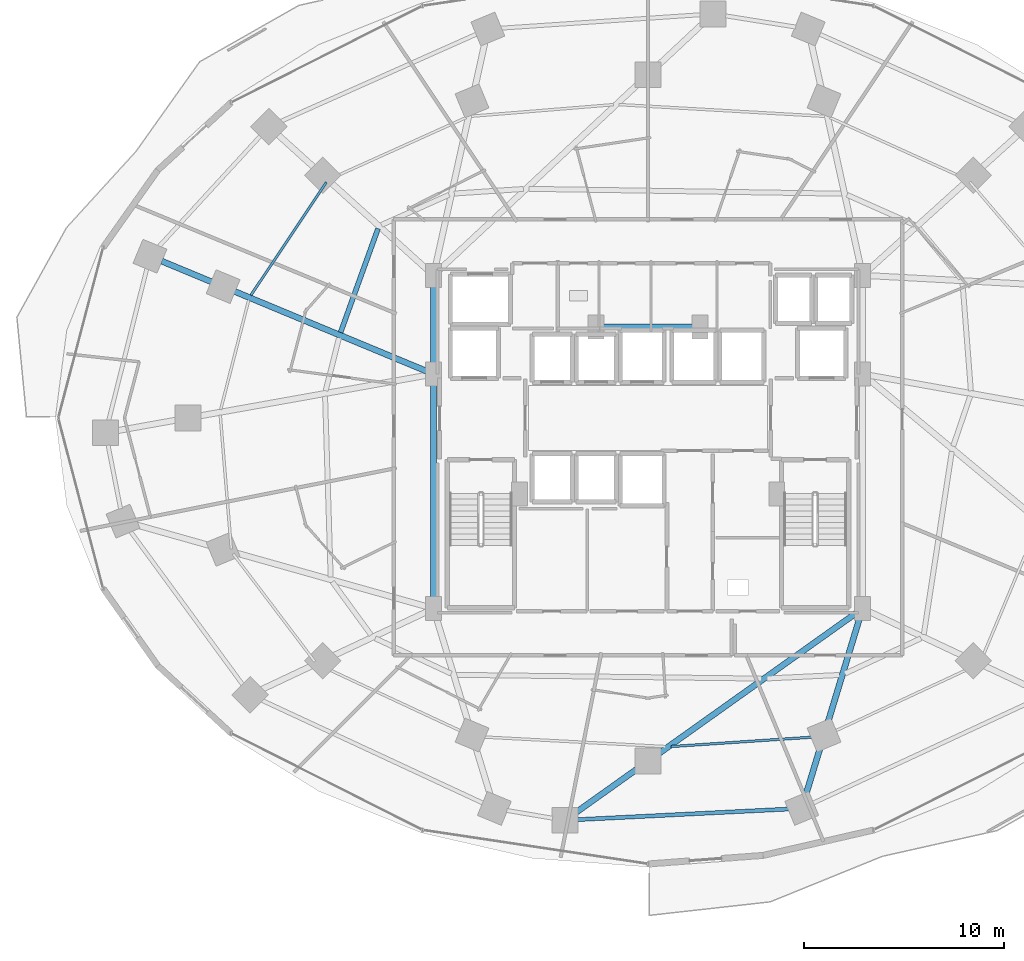
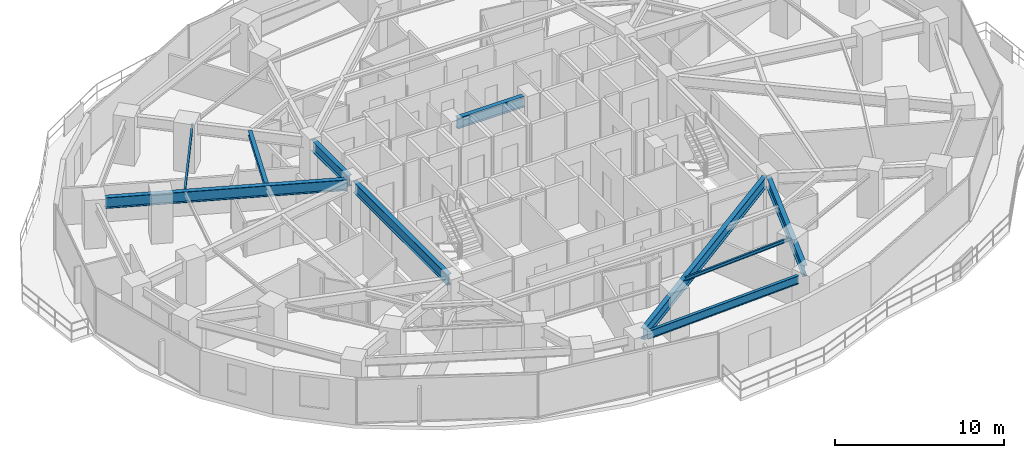
# One storey, part 11 of 35: 10 beams.
"""IFC4 building model written with IfcOpenShell, lengths in metres."""

from ifc_helpers import new_model, si_unit, direction, frame, origin, origin_2d, place, context, subcontext, project, spatial, i_section, extrude, material, material_profile, profile_set, type_object, element, save


model = new_model("IFC4")

# Units and contexts
model_context = context("Model", 3, precision=1e-05, world=origin(), true_north=direction((0.0, 1.0)))
body_context = subcontext(model_context, "Body", "Model", "MODEL_VIEW")
ifc_project = project(units=[si_unit("LENGTHUNIT", "METRE"), si_unit("AREAUNIT", "SQUARE_METRE"), si_unit("VOLUMEUNIT", "CUBIC_METRE"), si_unit("PLANEANGLEUNIT", "RADIAN"), si_unit("MASSUNIT", "GRAM", prefix="KILO")], contexts=[model_context])

# Site, building, storey
site_placement = place(None, origin())
site = spatial("IfcSite", under=ifc_project, at=site_placement, CompositionType="ELEMENT")
building_placement = place(site_placement, origin())
building = spatial("IfcBuilding", under=site, at=building_placement, Name="Vorneva Point Tower", CompositionType="ELEMENT")
storey_placement = place(building_placement, frame((0.0, 0.0, 45.0)))
storey = spatial("IfcBuildingStorey", under=building, at=storey_placement, Name="L11", CompositionType="ELEMENT", Elevation=45.0)

# Beams
ifc_material = material(Name="Steel S355", Category="steel")
ifc_material_profile_1 = material_profile(ifc_material, i_section(OverallWidth=0.300048828125, OverallDepth=0.7880859375, WebThickness=0.014404296875, FlangeThickness=0.02197265625, at=origin_2d()), Name="80Sh1")
ifc_profile_set_1 = profile_set([ifc_material_profile_1], Name="Steel S355")
beam_type_1 = type_object("IfcBeamType", Name="BM-GRD-80Sh1", PredefinedType="USERDEFINED", material=ifc_profile_set_1)
beam_1_placement = place(storey_placement, frame((13.62841796875, 33.860595703125, 2.845947265625), z_axis=(0.923441399183, -0.383739471874, 0.0), x_axis=(0.383739471874, 0.923441399183, 0.0)))
element("IfcBeam", 1, at=beam_1_placement, inside=storey, type_object=beam_type_1, Name="L11 Radial Primary Girder 08", ObjectType="GIRDER", PredefinedType="USERDEFINED", context=body_context, shape_type="SweptSolid", body=[
    extrude(i_section(OverallWidth=0.300048828125, OverallDepth=0.7880859375, WebThickness=0.014404296875, FlangeThickness=0.02197265625, at=origin_2d()), origin(), (0.0, 0.0, 1.0), 14.410888671875),
])
beam_2_placement = place(storey_placement, frame((34.360107421875, 6.209716796875, 2.845947265625), z_axis=(0.814752171819, 0.579809363943, 0.0), x_axis=(-0.579809363943, 0.814752171819, 0.0)))
element("IfcBeam", 2, at=beam_2_placement, inside=storey, type_object=beam_type_1, Name="L11 Radial Primary Girder 13", ObjectType="GIRDER", PredefinedType="USERDEFINED", context=body_context, shape_type="SweptSolid", body=[
    extrude(i_section(OverallWidth=0.300048828125, OverallDepth=0.7880859375, WebThickness=0.014404296875, FlangeThickness=0.02197265625, at=origin_2d()), origin(), (0.0, 0.0, 1.0), 17.321533203125),
])
beam_3_placement = place(storey_placement, frame((45.888916015625, 7.045654296875, 2.845947265625), z_axis=(0.29104183924, 0.956710325967, 0.0), x_axis=(-0.956710325967, 0.29104183924, 0.0)))
element("IfcBeam", 3, at=beam_3_placement, inside=storey, type_object=beam_type_1, Name="L11 Radial Primary Girder 14", ObjectType="GIRDER", PredefinedType="USERDEFINED", context=body_context, shape_type="SweptSolid", body=[
    extrude(i_section(OverallWidth=0.300048828125, OverallDepth=0.7880859375, WebThickness=0.014404296875, FlangeThickness=0.02197265625, at=origin_2d()), origin(), (0.0, 0.0, 1.0), 9.489990234375),
])
beam_4_placement = place(storey_placement, frame((27.25, 16.77001953125, 2.845947265625), z_axis=(0.0, 1.0, 0.0), x_axis=(-1.0, 0.0, 0.0)))
element("IfcBeam", 4, at=beam_4_placement, inside=storey, type_object=beam_type_1, Name="L11 Core Tie Girder CT1", ObjectType="GIRDER", PredefinedType="USERDEFINED", context=body_context, shape_type="SweptSolid", body=[
    extrude(i_section(OverallWidth=0.300048828125, OverallDepth=0.7880859375, WebThickness=0.014404296875, FlangeThickness=0.02197265625, at=origin_2d()), origin(), (0.0, 0.0, 1.0), 11.10986328125),
])
beam_5_placement = place(storey_placement, frame((27.25, 28.52001953125, 2.845947265625), z_axis=(0.0, 1.0, 0.0), x_axis=(-1.0, 0.0, 0.0)))
element("IfcBeam", 5, at=beam_5_placement, inside=storey, type_object=beam_type_1, Name="L11 Core Tie Girder CT2", ObjectType="GIRDER", PredefinedType="USERDEFINED", context=body_context, shape_type="SweptSolid", body=[
    extrude(i_section(OverallWidth=0.300048828125, OverallDepth=0.7880859375, WebThickness=0.014404296875, FlangeThickness=0.02197265625, at=origin_2d()), origin(), (0.0, 0.0, 1.0), 4.31005859375),
])
beam_6_placement = place(storey_placement, frame((35.719970703125, 30.550048828125, 2.845947265625), z_axis=(1.0, 0.0, 0.0), x_axis=(0.0, 1.0, 0.0)))
element("IfcBeam", 6, at=beam_6_placement, inside=storey, type_object=beam_type_1, Name="L11 Core Tie Girder CT8", ObjectType="GIRDER", PredefinedType="USERDEFINED", context=body_context, shape_type="SweptSolid", body=[
    extrude(i_section(OverallWidth=0.300048828125, OverallDepth=0.7880859375, WebThickness=0.014404296875, FlangeThickness=0.02197265625, at=origin_2d()), origin(), (0.0, 0.0, 1.0), 4.56005859375),
])
ifc_material_profile_2 = material_profile(ifc_material, i_section(OverallWidth=0.1240234375, OverallDepth=0.248046875, WebThickness=0.0048828125, FlangeThickness=0.008056640625, at=origin_2d()), Name="25B1")
ifc_profile_set_2 = profile_set([ifc_material_profile_2], Name="Steel S355")
beam_type_2 = type_object("IfcBeamType", Name="BM-JST-25B1", PredefinedType="JOIST", material=ifc_profile_set_2)
beam_7_placement = place(storey_placement, frame((21.881591796875, 37.815185546875, 3.115966796875), z_axis=(-0.555576452825, -0.831465456328, 0.0), x_axis=(0.831465456328, -0.555576452825, 0.0)))
element("IfcBeam", 7, at=beam_7_placement, inside=storey, type_object=beam_type_2, Name="L11 Secondary Floor Beam 1.07", PredefinedType="JOIST", context=body_context, shape_type="SweptSolid", body=[
    extrude(i_section(OverallWidth=0.1240234375, OverallDepth=0.248046875, WebThickness=0.0048828125, FlangeThickness=0.008056640625, at=origin_2d()), origin(), (0.0, 0.0, 1.0), 6.81298828125),
])
beam_8_placement = place(storey_placement, frame((39.155029296875, 9.533203125, 3.115966796875), z_axis=(0.997796056014, 0.066355335909, 0.0), x_axis=(-0.066355335909, 0.997796056014, 0.0)))
element("IfcBeam", 8, at=beam_8_placement, inside=storey, type_object=beam_type_2, Name="L11 Secondary Floor Beam 1.13", PredefinedType="JOIST", context=body_context, shape_type="SweptSolid", body=[
    extrude(i_section(OverallWidth=0.1240234375, OverallDepth=0.248046875, WebThickness=0.0048828125, FlangeThickness=0.008056640625, at=origin_2d()), origin(), (0.0, 0.0, 1.0), 7.524169921875),
])
ifc_material_profile_3 = material_profile(ifc_material, i_section(OverallWidth=0.2490234375, OverallDepth=0.333984375, WebThickness=0.008056640625, FlangeThickness=0.010986328125, at=origin_2d()), Name="35Sh1")
ifc_profile_set_3 = profile_set([ifc_material_profile_3], Name="Steel S355")
beam_type_3 = type_object("IfcBeamType", Name="BM-SEC-35Sh1", PredefinedType="BEAM", material=ifc_profile_set_3)
beam_9_placement = place(storey_placement, frame((24.46875, 35.490234375, 3.072998046875), z_axis=(-0.339297488857, -0.940679123854, 0.0), x_axis=(0.940679123854, -0.339297488857, 0.0)))
element("IfcBeam", 9, at=beam_9_placement, inside=storey, type_object=beam_type_3, Name="L11 Secondary Floor Beam 2.07", PredefinedType="BEAM", context=body_context, shape_type="SweptSolid", body=[
    extrude(i_section(OverallWidth=0.2490234375, OverallDepth=0.333984375, WebThickness=0.008056640625, FlangeThickness=0.010986328125, at=origin_2d()), origin(), (0.0, 0.0, 1.0), 5.533203125),
])
ifc_material_profile_4 = material_profile(ifc_material, i_section(OverallWidth=0.198974609375, OverallDepth=0.595947265625, WebThickness=0.010009765625, FlangeThickness=0.014892578125, at=origin_2d()), Name="60B1")
ifc_profile_set_4 = profile_set([ifc_material_profile_4], Name="Steel S355")
beam_type_4 = type_object("IfcBeamType", Name="BM-SPN-60B1", PredefinedType="SPANDREL", material=ifc_profile_set_4)
beam_10_placement = place(storey_placement, frame((34.474609375, 5.87158203125, 2.94189453125), z_axis=(0.998742793008, 0.050128169866, 0.0), x_axis=(-0.050128169866, 0.998742793008, 0.0)))
element("IfcBeam", 10, at=beam_10_placement, inside=storey, type_object=beam_type_4, Name="L11 Perimeter Spandrel Ring Beam 13", PredefinedType="SPANDREL", context=body_context, shape_type="SweptSolid", body=[
    extrude(i_section(OverallWidth=0.198974609375, OverallDepth=0.595947265625, WebThickness=0.010009765625, FlangeThickness=0.014892578125, at=origin_2d()), origin(), (0.0, 0.0, 1.0), 10.607666015625),
])

save(model, "model.ifc")
